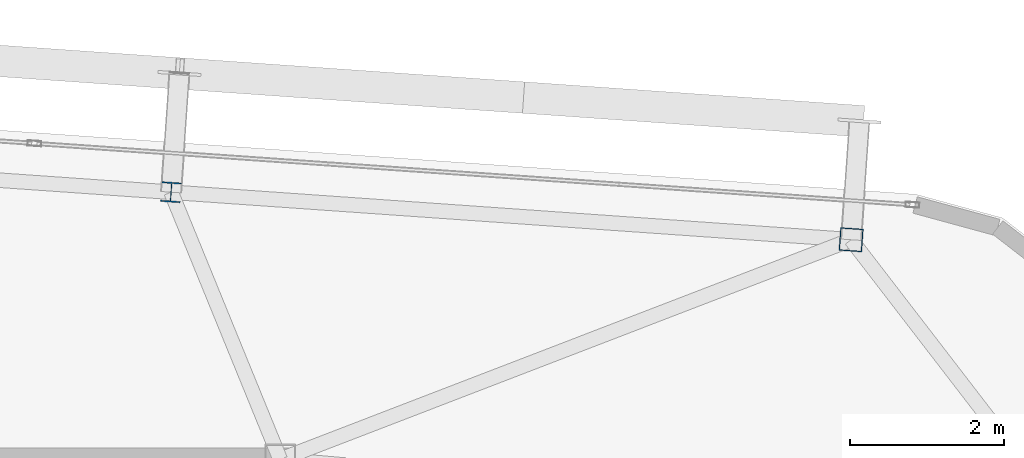
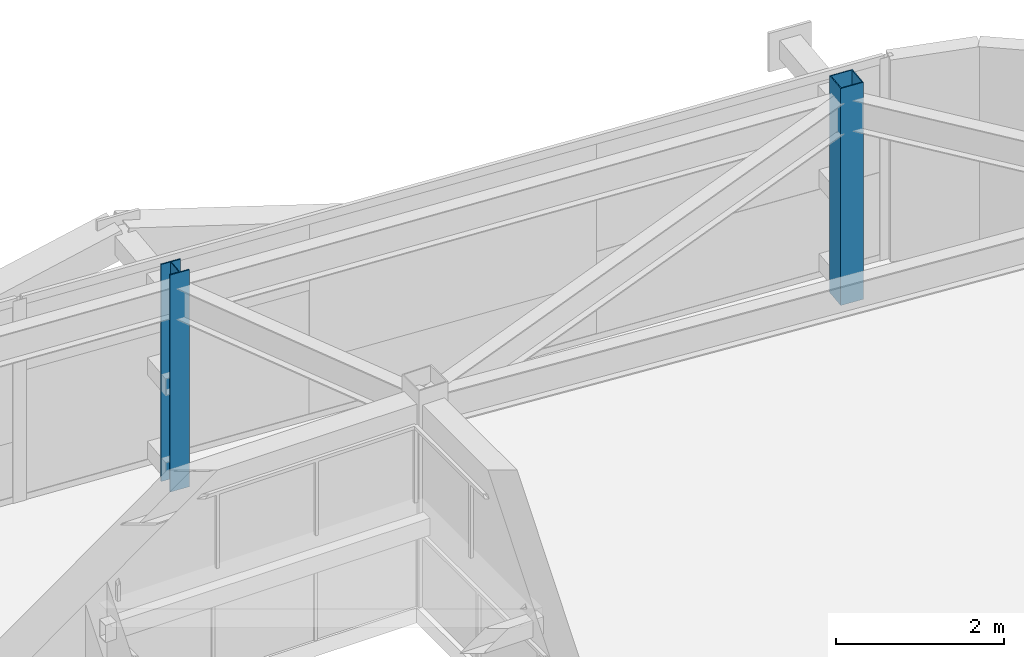
# One storey, part 5 of 39: 2 columns.
"""IFC4 building model written with IfcOpenShell, lengths in metres."""

from ifc_helpers import new_model, si_unit, direction, frame, origin, origin_2d, place, context, subcontext, project, spatial, hollow_rectangle, i_section, extrude, source, transform, mapped, material, material_profile, profile_set, type_object, element, save


model = new_model("IFC4")

# Units and contexts
model_context = context("Model", 3, precision=1e-05, world=origin(), true_north=direction((0.0, 1.0)))
body_context = subcontext(model_context, "Body", "Model", "MODEL_VIEW")
ifc_project = project(units=[si_unit("LENGTHUNIT", "METRE"), si_unit("AREAUNIT", "SQUARE_METRE"), si_unit("VOLUMEUNIT", "CUBIC_METRE"), si_unit("PLANEANGLEUNIT", "RADIAN"), si_unit("MASSUNIT", "GRAM", prefix="KILO")], contexts=[model_context])

# Site, building, storey
site_placement = place(None, origin())
site = spatial("IfcSite", under=ifc_project, at=site_placement, CompositionType="ELEMENT")
building_placement = place(site_placement, origin())
building = spatial("IfcBuilding", under=site, at=building_placement, Name="Taldren Reach Tower", CompositionType="ELEMENT")
storey_placement = place(building_placement, frame((0.0, 0.0, 123.550048828125)))
storey = spatial("IfcBuildingStorey", under=building, at=storey_placement, Name="L37", CompositionType="ELEMENT", Elevation=123.550048828125)

# Columns
ifc_material_1 = material(Name="Steel Gr 450 (C450L0)", Category="steel")
ifc_material_profile_1 = material_profile(ifc_material_1, hollow_rectangle(XDim=0.300048828125, YDim=0.300048828125, WallThickness=0.012451171875, at=origin_2d()), Name="300x300x12.5SHS")
ifc_profile_set_1 = profile_set([ifc_material_profile_1], Name="Steel Gr 450 (C450L0)")
column_type_1 = type_object("IfcColumnType", Name="COL-SHS300", PredefinedType="COLUMN", material=ifc_profile_set_1)
shared_shape_1 = source(origin(), body_context, "Body", "SweptSolid", [
    extrude(hollow_rectangle(XDim=0.300048828125, YDim=0.300048828125, WallThickness=0.012451171875, at=origin_2d()), origin(), (0.0, 0.0, 1.0), 3.14990234375),
])
column_1_placement = place(storey_placement, frame((58.4365234375, 34.861572265625, 0.0), z_axis=(0.0, 0.0, 1.0), x_axis=(0.99756405026, -0.069756473744, 0.0)))
element("IfcColumn", 1, at=column_1_placement, inside=storey, type_object=column_type_1, Name="Block B3 perimeter column N6 L37", PredefinedType="COLUMN", context=body_context, shape_type="MappedRepresentation", body=[
    mapped(shared_shape_1, transform((0.0, 0.0, 0.0), scale=1.0)),
])
ifc_material_2 = material(Name="Steel Gr 350 (350PLUS)", Category="steel")
ifc_material_profile_2 = material_profile(ifc_material_2, i_section(OverallWidth=0.256103515625, OverallDepth=0.260009765625, WebThickness=0.010498046875, FlangeThickness=0.017333984375, at=origin_2d()), Name="250UC89.5")
ifc_profile_set_2 = profile_set([ifc_material_profile_2], Name="Steel Gr 350 (350PLUS)")
column_type_2 = type_object("IfcColumnType", Name="COL-UC250", PredefinedType="COLUMN", material=ifc_profile_set_2)
shared_shape_2 = source(origin(), body_context, "Body", "SweptSolid", [
    extrude(i_section(OverallWidth=0.256103515625, OverallDepth=0.260009765625, WebThickness=0.010498046875, FlangeThickness=0.017333984375, at=origin_2d()), origin(), (0.0, 0.0, 1.0), 3.14990234375),
])
column_2_placement = place(storey_placement, frame((49.578125, 35.48095703125, 0.0), z_axis=(0.0, 0.0, 1.0), x_axis=(0.99756405026, -0.069756473744, 0.0)))
element("IfcColumn", 2, at=column_2_placement, inside=storey, type_object=column_type_2, Name="Block B3 perimeter column N5 L37", PredefinedType="COLUMN", context=body_context, shape_type="MappedRepresentation", body=[
    mapped(shared_shape_2, transform((0.0, 0.0, 0.0), scale=1.0)),
])

save(model, "model.ifc")
